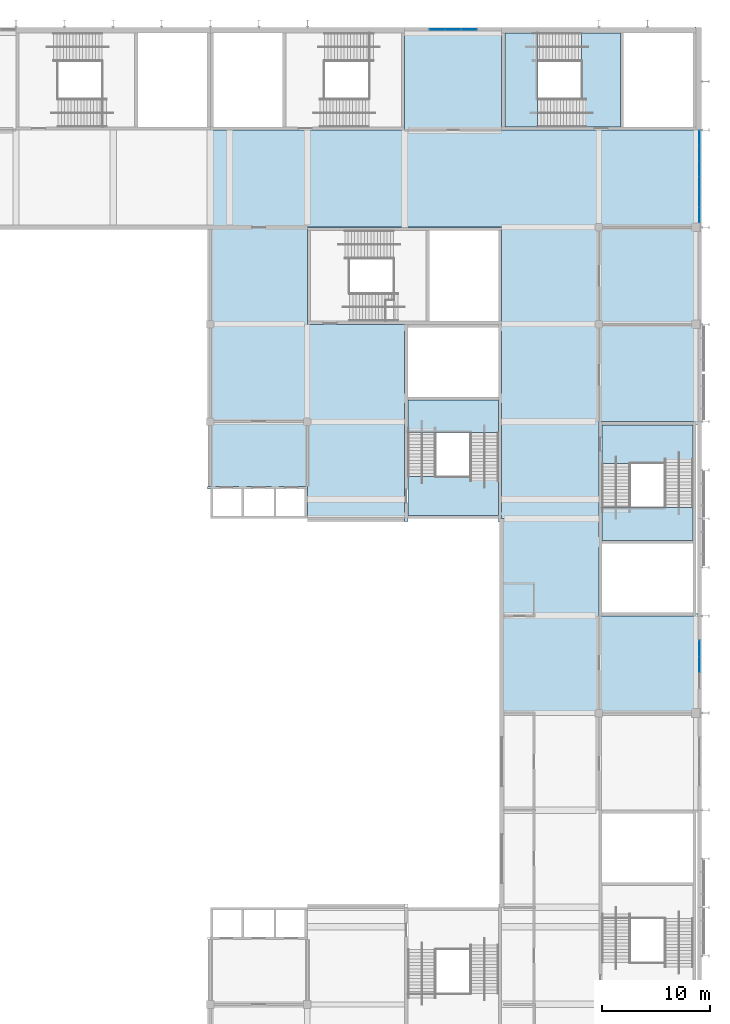
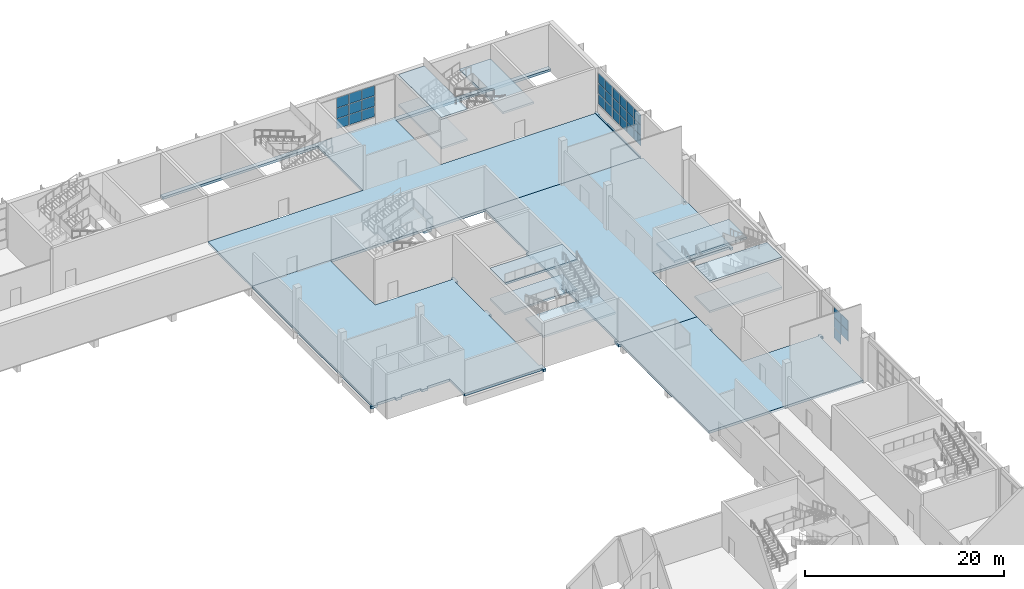
# One storey, part 31 of 84: 32 plates, 12 slabs, 6 elements without a shape of their own.
"""IFC4 building model written with IfcOpenShell, lengths in metres."""

from ifc_helpers import new_model, si_unit, direction, frame, origin, origin_2d, place, context, subcontext, project, spatial, polyline, rectangle, outline, extrude, material, layer, layer_set, type_object, element, aggregate, save


model = new_model("IFC4")

# Units and contexts
model_context = context("Model", 3, precision=1e-05, world=origin(), true_north=direction((0.0, 1.0)))
body_context = subcontext(model_context, "Body", "Model", "MODEL_VIEW")
ifc_project = project(units=[si_unit("LENGTHUNIT", "METRE"), si_unit("AREAUNIT", "SQUARE_METRE"), si_unit("VOLUMEUNIT", "CUBIC_METRE"), si_unit("PLANEANGLEUNIT", "RADIAN"), si_unit("MASSUNIT", "GRAM", prefix="KILO")], contexts=[model_context])

# Site, building, storey
site_placement = place(None, origin())
site = spatial("IfcSite", under=ifc_project, at=site_placement, CompositionType="ELEMENT")
building_placement = place(site_placement, origin())
building = spatial("IfcBuilding", under=site, at=building_placement, Name="Silverbay Arena", CompositionType="ELEMENT")
storey_placement = place(building_placement, frame((0.0, 0.0, 28.0)))
storey = spatial("IfcBuildingStorey", under=building, at=storey_placement, Name="L04", CompositionType="ELEMENT", Elevation=28.0)

# Curtain wall, plates
ifc_material_1 = material(Name="Aluminium framed curtain wall", Category="aluminium")
curtain_wall_type_1 = type_object("IfcCurtainWallType", Name="Curtain wall 4500 x 3900", PredefinedType="NOTDEFINED", material=ifc_material_1)
curtain_wall_1_placement = place(storey_placement, origin())
curtain_wall_1 = element("IfcCurtainWall", 1, at=curtain_wall_1_placement, inside=storey, type_object=curtain_wall_type_1, Name="East curtain wall L04 bay 8", PredefinedType="NOTDEFINED")
ifc_material_2 = material(Name="Laminated glass", Category="glass")
ifc_layer_1 = layer(ifc_material_2, 0.028076171875)
ifc_layer_set_1 = layer_set([ifc_layer_1], Name="Laminated glass")
plate_type = type_object("IfcPlateType", Name="Glass panel 28", PredefinedType="CURTAIN_PANEL", material=ifc_layer_set_1)
plate_1_placement = place(storey_placement, frame((207.330078125, 85.5, 2.324951171875), z_axis=(0.0, 0.0, 1.0), x_axis=(0.0, 1.0, 0.0)))
plate_1 = element("IfcPlate", 2, at=plate_1_placement, type_object=plate_type, Name="CW15 panel 2.2", PredefinedType="CURTAIN_PANEL", context=body_context, shape_type="SweptSolid", body=[
    extrude(rectangle(XDim=1.43994140625, YDim=0.028076171875, at=origin_2d()), origin(), (0.0, 0.0, 1.0), 1.25),
])
plate_2_placement = place(storey_placement, frame((207.330078125, 85.5, 3.625), z_axis=(0.0, 0.0, 1.0), x_axis=(0.0, 1.0, 0.0)))
plate_2 = element("IfcPlate", 3, at=plate_2_placement, type_object=plate_type, Name="CW15 panel 2.3", PredefinedType="CURTAIN_PANEL", context=body_context, shape_type="SweptSolid", body=[
    extrude(rectangle(XDim=1.43994140625, YDim=0.028076171875, at=origin_2d()), origin(), (0.0, 0.0, 1.0), 1.22509765625),
])
plate_3_placement = place(storey_placement, frame((207.330078125, 86.985107421875, 1.050048828125), z_axis=(0.0, 0.0, 1.0), x_axis=(0.0, 1.0, 0.0)))
plate_3 = element("IfcPlate", 4, at=plate_3_placement, type_object=plate_type, Name="CW15 panel 3.1", PredefinedType="CURTAIN_PANEL", context=body_context, shape_type="SweptSolid", body=[
    extrude(rectangle(XDim=1.409912109375, YDim=0.028076171875, at=origin_2d()), origin(), (0.0, 0.0, 1.0), 1.22509765625),
])
plate_4_placement = place(storey_placement, frame((207.330078125, 86.985107421875, 2.324951171875), z_axis=(0.0, 0.0, 1.0), x_axis=(0.0, 1.0, 0.0)))
plate_4 = element("IfcPlate", 5, at=plate_4_placement, type_object=plate_type, Name="CW15 panel 3.2", PredefinedType="CURTAIN_PANEL", context=body_context, shape_type="SweptSolid", body=[
    extrude(rectangle(XDim=1.409912109375, YDim=0.028076171875, at=origin_2d()), origin(), (0.0, 0.0, 1.0), 1.25),
])
plate_5_placement = place(storey_placement, frame((207.330078125, 86.985107421875, 3.625), z_axis=(0.0, 0.0, 1.0), x_axis=(0.0, 1.0, 0.0)))
plate_5 = element("IfcPlate", 6, at=plate_5_placement, type_object=plate_type, Name="CW15 panel 3.3", PredefinedType="CURTAIN_PANEL", context=body_context, shape_type="SweptSolid", body=[
    extrude(rectangle(XDim=1.409912109375, YDim=0.028076171875, at=origin_2d()), origin(), (0.0, 0.0, 1.0), 1.22509765625),
])
aggregate(curtain_wall_1, [plate_1, plate_2, plate_3, plate_4, plate_5])

ifc_material_3 = material(Name="Aluminium framed curtain wall", Category="aluminium")
curtain_wall_type_2 = type_object("IfcCurtainWallType", Name="Curtain wall 8600 x 3900", PredefinedType="NOTDEFINED", material=ifc_material_3)
curtain_wall_2_placement = place(storey_placement, origin())
curtain_wall_2 = element("IfcCurtainWall", 7, at=curtain_wall_2_placement, inside=storey, type_object=curtain_wall_type_2, Name="East curtain wall L04 bay 13", PredefinedType="NOTDEFINED")
plate_6_placement = place(storey_placement, frame((207.330078125, 127.131591796875, 1.050048828125), z_axis=(0.0, 0.0, 1.0), x_axis=(0.0, 1.0, 0.0)))
plate_6 = element("IfcPlate", 8, at=plate_6_placement, type_object=plate_type, Name="CW1 panel 1.1", PredefinedType="CURTAIN_PANEL", context=body_context, shape_type="SweptSolid", body=[
    extrude(rectangle(XDim=1.34326171875, YDim=0.028076171875, at=origin_2d()), origin(), (0.0, 0.0, 1.0), 1.22509765625),
])
plate_7_placement = place(storey_placement, frame((207.330078125, 127.131591796875, 2.324951171875), z_axis=(0.0, 0.0, 1.0), x_axis=(0.0, 1.0, 0.0)))
plate_7 = element("IfcPlate", 9, at=plate_7_placement, type_object=plate_type, Name="CW1 panel 1.2", PredefinedType="CURTAIN_PANEL", context=body_context, shape_type="SweptSolid", body=[
    extrude(rectangle(XDim=1.34326171875, YDim=0.028076171875, at=origin_2d()), origin(), (0.0, 0.0, 1.0), 1.25),
])
plate_8_placement = place(storey_placement, frame((207.330078125, 127.131591796875, 3.625), z_axis=(0.0, 0.0, 1.0), x_axis=(0.0, 1.0, 0.0)))
plate_8 = element("IfcPlate", 10, at=plate_8_placement, type_object=plate_type, Name="CW1 panel 1.3", PredefinedType="CURTAIN_PANEL", context=body_context, shape_type="SweptSolid", body=[
    extrude(rectangle(XDim=1.34326171875, YDim=0.028076171875, at=origin_2d()), origin(), (0.0, 0.0, 1.0), 1.22509765625),
])
plate_9_placement = place(storey_placement, frame((207.330078125, 128.550048828125, 1.050048828125), z_axis=(0.0, 0.0, 1.0), x_axis=(0.0, 1.0, 0.0)))
plate_9 = element("IfcPlate", 11, at=plate_9_placement, type_object=plate_type, Name="CW1 panel 2.1", PredefinedType="CURTAIN_PANEL", context=body_context, shape_type="SweptSolid", body=[
    extrude(rectangle(XDim=1.373291015625, YDim=0.028076171875, at=origin_2d()), origin(), (0.0, 0.0, 1.0), 1.22509765625),
])
plate_10_placement = place(storey_placement, frame((207.330078125, 128.550048828125, 2.324951171875), z_axis=(0.0, 0.0, 1.0), x_axis=(0.0, 1.0, 0.0)))
plate_10 = element("IfcPlate", 12, at=plate_10_placement, type_object=plate_type, Name="CW1 panel 2.2", PredefinedType="CURTAIN_PANEL", context=body_context, shape_type="SweptSolid", body=[
    extrude(rectangle(XDim=1.373291015625, YDim=0.028076171875, at=origin_2d()), origin(), (0.0, 0.0, 1.0), 1.25),
])
plate_11_placement = place(storey_placement, frame((207.330078125, 128.550048828125, 3.625), z_axis=(0.0, 0.0, 1.0), x_axis=(0.0, 1.0, 0.0)))
plate_11 = element("IfcPlate", 13, at=plate_11_placement, type_object=plate_type, Name="CW1 panel 2.3", PredefinedType="CURTAIN_PANEL", context=body_context, shape_type="SweptSolid", body=[
    extrude(rectangle(XDim=1.373291015625, YDim=0.028076171875, at=origin_2d()), origin(), (0.0, 0.0, 1.0), 1.22509765625),
])
plate_12_placement = place(storey_placement, frame((207.330078125, 129.9833984375, 1.050048828125), z_axis=(0.0, 0.0, 1.0), x_axis=(0.0, 1.0, 0.0)))
plate_12 = element("IfcPlate", 14, at=plate_12_placement, type_object=plate_type, Name="CW1 panel 3.1", PredefinedType="CURTAIN_PANEL", context=body_context, shape_type="SweptSolid", body=[
    extrude(rectangle(XDim=1.373291015625, YDim=0.028076171875, at=origin_2d()), origin(), (0.0, 0.0, 1.0), 1.22509765625),
])
plate_13_placement = place(storey_placement, frame((207.330078125, 129.9833984375, 2.324951171875), z_axis=(0.0, 0.0, 1.0), x_axis=(0.0, 1.0, 0.0)))
plate_13 = element("IfcPlate", 15, at=plate_13_placement, type_object=plate_type, Name="CW1 panel 3.2", PredefinedType="CURTAIN_PANEL", context=body_context, shape_type="SweptSolid", body=[
    extrude(rectangle(XDim=1.373291015625, YDim=0.028076171875, at=origin_2d()), origin(), (0.0, 0.0, 1.0), 1.25),
])
plate_14_placement = place(storey_placement, frame((207.330078125, 129.9833984375, 3.625), z_axis=(0.0, 0.0, 1.0), x_axis=(0.0, 1.0, 0.0)))
plate_14 = element("IfcPlate", 16, at=plate_14_placement, type_object=plate_type, Name="CW1 panel 3.3", PredefinedType="CURTAIN_PANEL", context=body_context, shape_type="SweptSolid", body=[
    extrude(rectangle(XDim=1.373291015625, YDim=0.028076171875, at=origin_2d()), origin(), (0.0, 0.0, 1.0), 1.22509765625),
])
plate_15_placement = place(storey_placement, frame((207.330078125, 131.416748046875, 1.050048828125), z_axis=(0.0, 0.0, 1.0), x_axis=(0.0, 1.0, 0.0)))
plate_15 = element("IfcPlate", 17, at=plate_15_placement, type_object=plate_type, Name="CW1 panel 4.1", PredefinedType="CURTAIN_PANEL", context=body_context, shape_type="SweptSolid", body=[
    extrude(rectangle(XDim=1.373291015625, YDim=0.028076171875, at=origin_2d()), origin(), (0.0, 0.0, 1.0), 1.22509765625),
])
plate_16_placement = place(storey_placement, frame((207.330078125, 131.416748046875, 2.324951171875), z_axis=(0.0, 0.0, 1.0), x_axis=(0.0, 1.0, 0.0)))
plate_16 = element("IfcPlate", 18, at=plate_16_placement, type_object=plate_type, Name="CW1 panel 4.2", PredefinedType="CURTAIN_PANEL", context=body_context, shape_type="SweptSolid", body=[
    extrude(rectangle(XDim=1.373291015625, YDim=0.028076171875, at=origin_2d()), origin(), (0.0, 0.0, 1.0), 1.25),
])
plate_17_placement = place(storey_placement, frame((207.330078125, 131.416748046875, 3.625), z_axis=(0.0, 0.0, 1.0), x_axis=(0.0, 1.0, 0.0)))
plate_17 = element("IfcPlate", 19, at=plate_17_placement, type_object=plate_type, Name="CW1 panel 4.3", PredefinedType="CURTAIN_PANEL", context=body_context, shape_type="SweptSolid", body=[
    extrude(rectangle(XDim=1.373291015625, YDim=0.028076171875, at=origin_2d()), origin(), (0.0, 0.0, 1.0), 1.22509765625),
])
plate_18_placement = place(storey_placement, frame((207.330078125, 132.85009765625, 1.050048828125), z_axis=(0.0, 0.0, 1.0), x_axis=(0.0, 1.0, 0.0)))
plate_18 = element("IfcPlate", 20, at=plate_18_placement, type_object=plate_type, Name="CW1 panel 5.1", PredefinedType="CURTAIN_PANEL", context=body_context, shape_type="SweptSolid", body=[
    extrude(rectangle(XDim=1.373291015625, YDim=0.028076171875, at=origin_2d()), origin(), (0.0, 0.0, 1.0), 1.22509765625),
])
plate_19_placement = place(storey_placement, frame((207.330078125, 132.85009765625, 2.324951171875), z_axis=(0.0, 0.0, 1.0), x_axis=(0.0, 1.0, 0.0)))
plate_19 = element("IfcPlate", 21, at=plate_19_placement, type_object=plate_type, Name="CW1 panel 5.2", PredefinedType="CURTAIN_PANEL", context=body_context, shape_type="SweptSolid", body=[
    extrude(rectangle(XDim=1.373291015625, YDim=0.028076171875, at=origin_2d()), origin(), (0.0, 0.0, 1.0), 1.25),
])
plate_20_placement = place(storey_placement, frame((207.330078125, 132.85009765625, 3.625), z_axis=(0.0, 0.0, 1.0), x_axis=(0.0, 1.0, 0.0)))
plate_20 = element("IfcPlate", 22, at=plate_20_placement, type_object=plate_type, Name="CW1 panel 5.3", PredefinedType="CURTAIN_PANEL", context=body_context, shape_type="SweptSolid", body=[
    extrude(rectangle(XDim=1.373291015625, YDim=0.028076171875, at=origin_2d()), origin(), (0.0, 0.0, 1.0), 1.22509765625),
])
plate_21_placement = place(storey_placement, frame((207.330078125, 134.268310546875, 1.050048828125), z_axis=(0.0, 0.0, 1.0), x_axis=(0.0, 1.0, 0.0)))
plate_21 = element("IfcPlate", 23, at=plate_21_placement, type_object=plate_type, Name="CW1 panel 6.1", PredefinedType="CURTAIN_PANEL", context=body_context, shape_type="SweptSolid", body=[
    extrude(rectangle(XDim=1.34326171875, YDim=0.028076171875, at=origin_2d()), origin(), (0.0, 0.0, 1.0), 1.22509765625),
])
plate_22_placement = place(storey_placement, frame((207.330078125, 134.268310546875, 2.324951171875), z_axis=(0.0, 0.0, 1.0), x_axis=(0.0, 1.0, 0.0)))
plate_22 = element("IfcPlate", 24, at=plate_22_placement, type_object=plate_type, Name="CW1 panel 6.2", PredefinedType="CURTAIN_PANEL", context=body_context, shape_type="SweptSolid", body=[
    extrude(rectangle(XDim=1.34326171875, YDim=0.028076171875, at=origin_2d()), origin(), (0.0, 0.0, 1.0), 1.25),
])
plate_23_placement = place(storey_placement, frame((207.330078125, 134.268310546875, 3.625), z_axis=(0.0, 0.0, 1.0), x_axis=(0.0, 1.0, 0.0)))
plate_23 = element("IfcPlate", 25, at=plate_23_placement, type_object=plate_type, Name="CW1 panel 6.3", PredefinedType="CURTAIN_PANEL", context=body_context, shape_type="SweptSolid", body=[
    extrude(rectangle(XDim=1.34326171875, YDim=0.028076171875, at=origin_2d()), origin(), (0.0, 0.0, 1.0), 1.22509765625),
])
aggregate(curtain_wall_2, [plate_6, plate_7, plate_8, plate_9, plate_10, plate_11, plate_12, plate_13, plate_14, plate_15, plate_16, plate_17, plate_18, plate_19, plate_20, plate_21, plate_22, plate_23])

curtain_wall_3_placement = place(storey_placement, origin())
curtain_wall_3 = element("IfcCurtainWall", 26, at=curtain_wall_3_placement, inside=storey, type_object=curtain_wall_type_1, Name="North curtain wall L04 bay 15", PredefinedType="NOTDEFINED")
plate_24_placement = place(storey_placement, frame((185.985107421875, 144.330078125, 1.050048828125), z_axis=(0.0, 0.0, 1.0), x_axis=(-1.0, 0.0, 0.0)))
plate_24 = element("IfcPlate", 27, at=plate_24_placement, type_object=plate_type, Name="CW15 panel 1.1", PredefinedType="CURTAIN_PANEL", context=body_context, shape_type="SweptSolid", body=[
    extrude(rectangle(XDim=1.409912109375, YDim=0.028076171875, at=origin_2d()), origin(), (0.0, 0.0, 1.0), 1.22509765625),
])
plate_25_placement = place(storey_placement, frame((185.985107421875, 144.330078125, 2.324951171875), z_axis=(0.0, 0.0, 1.0), x_axis=(-1.0, 0.0, 0.0)))
plate_25 = element("IfcPlate", 28, at=plate_25_placement, type_object=plate_type, Name="CW15 panel 1.2", PredefinedType="CURTAIN_PANEL", context=body_context, shape_type="SweptSolid", body=[
    extrude(rectangle(XDim=1.409912109375, YDim=0.028076171875, at=origin_2d()), origin(), (0.0, 0.0, 1.0), 1.25),
])
plate_26_placement = place(storey_placement, frame((185.985107421875, 144.330078125, 3.625), z_axis=(0.0, 0.0, 1.0), x_axis=(-1.0, 0.0, 0.0)))
plate_26 = element("IfcPlate", 29, at=plate_26_placement, type_object=plate_type, Name="CW15 panel 1.3", PredefinedType="CURTAIN_PANEL", context=body_context, shape_type="SweptSolid", body=[
    extrude(rectangle(XDim=1.409912109375, YDim=0.028076171875, at=origin_2d()), origin(), (0.0, 0.0, 1.0), 1.22509765625),
])
plate_27_placement = place(storey_placement, frame((184.5, 144.330078125, 1.050048828125), z_axis=(0.0, 0.0, 1.0), x_axis=(-1.0, 0.0, 0.0)))
plate_27 = element("IfcPlate", 30, at=plate_27_placement, type_object=plate_type, Name="CW15 panel 2.1", PredefinedType="CURTAIN_PANEL", context=body_context, shape_type="SweptSolid", body=[
    extrude(rectangle(XDim=1.43994140625, YDim=0.028076171875, at=origin_2d()), origin(), (0.0, 0.0, 1.0), 1.22509765625),
])
plate_28_placement = place(storey_placement, frame((184.5, 144.330078125, 2.324951171875), z_axis=(0.0, 0.0, 1.0), x_axis=(-1.0, 0.0, 0.0)))
plate_28 = element("IfcPlate", 31, at=plate_28_placement, type_object=plate_type, Name="CW15 panel 2.2", PredefinedType="CURTAIN_PANEL", context=body_context, shape_type="SweptSolid", body=[
    extrude(rectangle(XDim=1.43994140625, YDim=0.028076171875, at=origin_2d()), origin(), (0.0, 0.0, 1.0), 1.25),
])
plate_29_placement = place(storey_placement, frame((184.5, 144.330078125, 3.625), z_axis=(0.0, 0.0, 1.0), x_axis=(-1.0, 0.0, 0.0)))
plate_29 = element("IfcPlate", 32, at=plate_29_placement, type_object=plate_type, Name="CW15 panel 2.3", PredefinedType="CURTAIN_PANEL", context=body_context, shape_type="SweptSolid", body=[
    extrude(rectangle(XDim=1.43994140625, YDim=0.028076171875, at=origin_2d()), origin(), (0.0, 0.0, 1.0), 1.22509765625),
])
plate_30_placement = place(storey_placement, frame((183.014892578125, 144.330078125, 1.050048828125), z_axis=(0.0, 0.0, 1.0), x_axis=(-1.0, 0.0, 0.0)))
plate_30 = element("IfcPlate", 33, at=plate_30_placement, type_object=plate_type, Name="CW15 panel 3.1", PredefinedType="CURTAIN_PANEL", context=body_context, shape_type="SweptSolid", body=[
    extrude(rectangle(XDim=1.409912109375, YDim=0.028076171875, at=origin_2d()), origin(), (0.0, 0.0, 1.0), 1.22509765625),
])
plate_31_placement = place(storey_placement, frame((183.014892578125, 144.330078125, 2.324951171875), z_axis=(0.0, 0.0, 1.0), x_axis=(-1.0, 0.0, 0.0)))
plate_31 = element("IfcPlate", 34, at=plate_31_placement, type_object=plate_type, Name="CW15 panel 3.2", PredefinedType="CURTAIN_PANEL", context=body_context, shape_type="SweptSolid", body=[
    extrude(rectangle(XDim=1.409912109375, YDim=0.028076171875, at=origin_2d()), origin(), (0.0, 0.0, 1.0), 1.25),
])
plate_32_placement = place(storey_placement, frame((183.014892578125, 144.330078125, 3.625), z_axis=(0.0, 0.0, 1.0), x_axis=(-1.0, 0.0, 0.0)))
plate_32 = element("IfcPlate", 35, at=plate_32_placement, type_object=plate_type, Name="CW15 panel 3.3", PredefinedType="CURTAIN_PANEL", context=body_context, shape_type="SweptSolid", body=[
    extrude(rectangle(XDim=1.409912109375, YDim=0.028076171875, at=origin_2d()), origin(), (0.0, 0.0, 1.0), 1.22509765625),
])
aggregate(curtain_wall_3, [plate_24, plate_25, plate_26, plate_27, plate_28, plate_29, plate_30, plate_31, plate_32])

# Slabs
ifc_material_4 = material(Name="Concrete Grade C45", Category="concrete")
ifc_layer_2 = layer(ifc_material_4, 0.300048828125)
ifc_layer_set_2 = layer_set([ifc_layer_2], Name="Concrete Grade C45")
slab_type_1 = type_object("IfcSlabType", Name="RC floor slab 300", PredefinedType="FLOOR", material=ifc_layer_set_2)
slab_1_placement = place(storey_placement, frame((0.0, 0.0, -0.300048828125)))
element("IfcSlab", 36, at=slab_1_placement, inside=storey, type_object=slab_type_1, Name="Floor slab L04 unit 7 B", PredefinedType="FLOOR", context=body_context, shape_type="SweptSolid", body=[
    extrude(outline(polyline([(188.699951171875, 98.699951171875), (188.699951171875, 99.324951171875), (189.0, 99.324951171875), (189.0, 99.02490234375), (198.0, 99.02490234375), (198.0, 97.300048828125), (198.300048828125, 97.300048828125), (198.300048828125, 96.39990234375), (198.0, 96.39990234375), (198.0, 90.0), (206.925048828125, 90.0), (206.925048828125, 90.22509765625), (207.14990234375, 90.22509765625), (207.14990234375, 90.10009765625), (207.25, 90.10009765625), (207.25, 89.675048828125), (207.14990234375, 89.675048828125), (207.14990234375, 89.77490234375), (206.925048828125, 89.77490234375), (206.925048828125, 81.050048828125), (189.0, 81.050048828125), (189.0, 98.699951171875), (188.699951171875, 98.699951171875)])), origin(), (0.0, 0.0, 1.0), 0.300048828125),
])
slab_2_placement = place(storey_placement, frame((0.0, 0.0, -0.300048828125)))
element("IfcSlab", 37, at=slab_2_placement, inside=storey, type_object=slab_type_1, Name="Floor slab L04 unit 9", PredefinedType="FLOOR", context=body_context, shape_type="SweptSolid", body=[
    extrude(outline(polyline([(189.0, 99.324951171875), (188.699951171875, 99.324951171875), (188.699951171875, 99.60009765625), (189.0, 99.60009765625), (189.0, 109.699951171875), (188.699951171875, 109.699951171875), (188.699951171875, 110.60009765625), (189.0, 110.60009765625), (189.0, 116.39990234375), (188.699951171875, 116.39990234375), (188.699951171875, 117.300048828125), (189.0, 117.300048828125), (189.0, 126.0), (182.60009765625, 126.0), (182.60009765625, 125.699951171875), (181.699951171875, 125.699951171875), (181.699951171875, 126.0), (171.0, 126.0), (171.0, 117.0), (180.0, 117.0), (180.0, 117.300048828125), (180.300048828125, 117.300048828125), (180.300048828125, 116.39990234375), (180.0, 116.39990234375), (180.0, 110.60009765625), (180.300048828125, 110.60009765625), (180.300048828125, 109.699951171875), (180.0, 109.699951171875), (180.0, 99.60009765625), (180.300048828125, 99.60009765625), (180.300048828125, 98.72509765625), (180.0, 98.72509765625), (180.0, 99.02490234375), (171.0, 99.02490234375), (171.0, 102.0), (168.35009765625, 102.0), (168.35009765625, 101.75), (167.64990234375, 101.75), (167.64990234375, 102.0), (165.35009765625, 102.0), (165.35009765625, 101.75), (164.64990234375, 101.75), (164.64990234375, 102.0), (162.5, 102.0), (162.5, 101.75), (161.75, 101.75), (161.75, 102.0), (162.0, 102.0), (162.0, 126.02490234375), (206.925048828125, 126.02490234375), (206.925048828125, 125.875), (207.199951171875, 125.875), (207.199951171875, 117.125), (206.925048828125, 117.125), (206.925048828125, 116.875), (207.199951171875, 116.875), (207.199951171875, 107.72509765625), (206.925048828125, 107.72509765625), (206.925048828125, 108.0), (198.0, 108.0), (198.0, 99.02490234375), (189.0, 99.02490234375), (189.0, 99.324951171875)])), origin(), (0.0, 0.0, 1.0), 0.300048828125),
])
slab_3_placement = place(storey_placement, frame((0.0, 0.0, -0.300048828125)))
element("IfcSlab", 38, at=slab_3_placement, inside=storey, type_object=slab_type_1, Name="Floor slab L04 unit 12", PredefinedType="FLOOR", context=body_context, shape_type="SweptSolid", body=[
    extrude(outline(polyline([(207.25, 134.675048828125), (207.175048828125, 134.675048828125), (207.175048828125, 126.14990234375), (207.0, 126.14990234375), (207.0, 134.925048828125), (206.925048828125, 134.925048828125), (206.925048828125, 126.02490234375), (162.0, 126.02490234375), (162.0, 135.0), (180.0, 135.0), (180.0, 144.0), (162.0, 144.0), (162.0, 144.5), (206.925048828125, 144.5), (206.925048828125, 144.574951171875), (207.0, 144.574951171875), (207.0, 143.925048828125), (206.925048828125, 143.925048828125), (206.925048828125, 144.0), (189.0, 144.0), (189.0, 135.0), (206.925048828125, 135.0), (206.925048828125, 135.074951171875), (207.0, 135.074951171875), (207.0, 135.25), (207.25, 135.25), (207.25, 134.675048828125)])), origin(), (0.0, 0.0, 1.0), 0.300048828125),
])

# Stair, slabs
ifc_material_5 = material(Name="Concrete Grade C45", Category="concrete")
stair_type = type_object("IfcStairType", Name="Stair 2600 wide 48 risers 114.6 x 300", PredefinedType="HALF_TURN_STAIR", material=ifc_material_5)
stair_1_placement = place(storey_placement, origin())
stair_1 = element("IfcStair", 39, at=stair_1_placement, inside=storey, type_object=stair_type, Name="Stair ST-N6 L04 to L05", PredefinedType="HALF_TURN_STAIR")
ifc_material_6 = material(Name="Concrete Grade C45", Category="concrete")
ifc_layer_3 = layer(ifc_material_6, 0.25)
ifc_layer_set_3 = layer_set([ifc_layer_3], Name="Concrete Grade C45")
slab_type_2 = type_object("IfcSlabType", Name="Stair landing RC 250", PredefinedType="LANDING", material=ifc_layer_set_3)
slab_4_placement = place(storey_placement, frame((0.0, 0.0, 1.583251953125)))
slab_4 = element("IfcSlab", 40, at=slab_4_placement, type_object=slab_type_2, Name="Stair ST-N6 L04 to L05 landing 1", PredefinedType="LANDING", context=body_context, shape_type="SweptSolid", body=[
    extrude(outline(polyline([(192.3203125, 135.300048828125), (189.300048828125, 135.300048828125), (189.300048828125, 144.0), (192.3203125, 144.0), (192.3203125, 135.300048828125)])), origin(), (0.0, 0.0, 1.0), 0.25),
])
slab_5_placement = place(storey_placement, frame((0.0, 0.0, 3.416748046875)))
slab_5 = element("IfcSlab", 41, at=slab_5_placement, type_object=slab_type_2, Name="Stair ST-N6 L04 to L05 landing 2", PredefinedType="LANDING", context=body_context, shape_type="SweptSolid", body=[
    extrude(outline(polyline([(200.0, 135.300048828125), (196.39990234375, 135.300048828125), (196.39990234375, 144.0), (200.0, 144.0), (200.0, 135.300048828125)])), origin(), (0.0, 0.0, 1.0), 0.25),
])
slab_6_placement = place(storey_placement, frame((0.0, 0.0, 5.25)))
slab_6 = element("IfcSlab", 42, at=slab_6_placement, type_object=slab_type_2, Name="Stair ST-N6 L04 to L05 landing 3", PredefinedType="LANDING", context=body_context, shape_type="SweptSolid", body=[
    extrude(outline(polyline([(192.3203125, 135.300048828125), (189.300048828125, 135.300048828125), (189.300048828125, 144.0), (192.3203125, 144.0), (192.3203125, 135.300048828125)])), origin(), (0.0, 0.0, 1.0), 0.25),
])
aggregate(stair_1, [slab_4, slab_5, slab_6])

stair_2_placement = place(storey_placement, origin())
stair_2 = element("IfcStair", 43, at=stair_2_placement, inside=storey, type_object=stair_type, Name="Stair ST-E2 L04 to L05", PredefinedType="HALF_TURN_STAIR")
slab_7_placement = place(storey_placement, frame((0.0, 0.0, 1.583251953125)))
slab_7 = element("IfcSlab", 44, at=slab_7_placement, type_object=slab_type_2, Name="Stair ST-E2 L04 to L05 landing 1", PredefinedType="LANDING", context=body_context, shape_type="SweptSolid", body=[
    extrude(outline(polyline([(198.300048828125, 100.0205078125), (198.300048828125, 97.0), (206.699951171875, 97.0), (206.699951171875, 100.0205078125), (198.300048828125, 100.0205078125)])), origin(), (0.0, 0.0, 1.0), 0.25),
])
slab_8_placement = place(storey_placement, frame((0.0, 0.0, 3.416748046875)))
slab_8 = element("IfcSlab", 45, at=slab_8_placement, type_object=slab_type_2, Name="Stair ST-E2 L04 to L05 landing 2", PredefinedType="LANDING", context=body_context, shape_type="SweptSolid", body=[
    extrude(outline(polyline([(198.300048828125, 107.699951171875), (198.300048828125, 104.10009765625), (206.699951171875, 104.10009765625), (206.699951171875, 107.699951171875), (198.300048828125, 107.699951171875)])), origin(), (0.0, 0.0, 1.0), 0.25),
])
slab_9_placement = place(storey_placement, frame((0.0, 0.0, 5.25)))
slab_9 = element("IfcSlab", 46, at=slab_9_placement, type_object=slab_type_2, Name="Stair ST-E2 L04 to L05 landing 3", PredefinedType="LANDING", context=body_context, shape_type="SweptSolid", body=[
    extrude(outline(polyline([(198.300048828125, 100.0205078125), (198.300048828125, 97.0), (206.699951171875, 97.0), (206.699951171875, 100.0205078125), (198.300048828125, 100.0205078125)])), origin(), (0.0, 0.0, 1.0), 0.25),
])
aggregate(stair_2, [slab_7, slab_8, slab_9])

stair_3_placement = place(storey_placement, origin())
stair_3 = element("IfcStair", 47, at=stair_3_placement, inside=storey, type_object=stair_type, Name="Stair ST-NE2 L04 to L05", PredefinedType="HALF_TURN_STAIR")
slab_10_placement = place(storey_placement, frame((0.0, 0.0, 1.583251953125)))
slab_10 = element("IfcSlab", 48, at=slab_10_placement, type_object=slab_type_2, Name="Stair ST-NE2 L04 to L05 landing 1", PredefinedType="LANDING", context=body_context, shape_type="SweptSolid", body=[
    extrude(outline(polyline([(180.300048828125, 106.9794921875), (180.300048828125, 110.0), (188.699951171875, 110.0), (188.699951171875, 106.9794921875), (180.300048828125, 106.9794921875)])), origin(), (0.0, 0.0, 1.0), 0.25),
])
slab_11_placement = place(storey_placement, frame((0.0, 0.0, 3.416748046875)))
slab_11 = element("IfcSlab", 49, at=slab_11_placement, type_object=slab_type_2, Name="Stair ST-NE2 L04 to L05 landing 2", PredefinedType="LANDING", context=body_context, shape_type="SweptSolid", body=[
    extrude(outline(polyline([(180.300048828125, 99.300048828125), (180.300048828125, 102.89990234375), (188.699951171875, 102.89990234375), (188.699951171875, 99.300048828125), (180.300048828125, 99.300048828125)])), origin(), (0.0, 0.0, 1.0), 0.25),
])
slab_12_placement = place(storey_placement, frame((0.0, 0.0, 5.25)))
slab_12 = element("IfcSlab", 50, at=slab_12_placement, type_object=slab_type_2, Name="Stair ST-NE2 L04 to L05 landing 3", PredefinedType="LANDING", context=body_context, shape_type="SweptSolid", body=[
    extrude(outline(polyline([(180.300048828125, 106.9794921875), (180.300048828125, 110.0), (188.699951171875, 110.0), (188.699951171875, 106.9794921875), (180.300048828125, 106.9794921875)])), origin(), (0.0, 0.0, 1.0), 0.25),
])
aggregate(stair_3, [slab_10, slab_11, slab_12])

save(model, "model.ifc")
